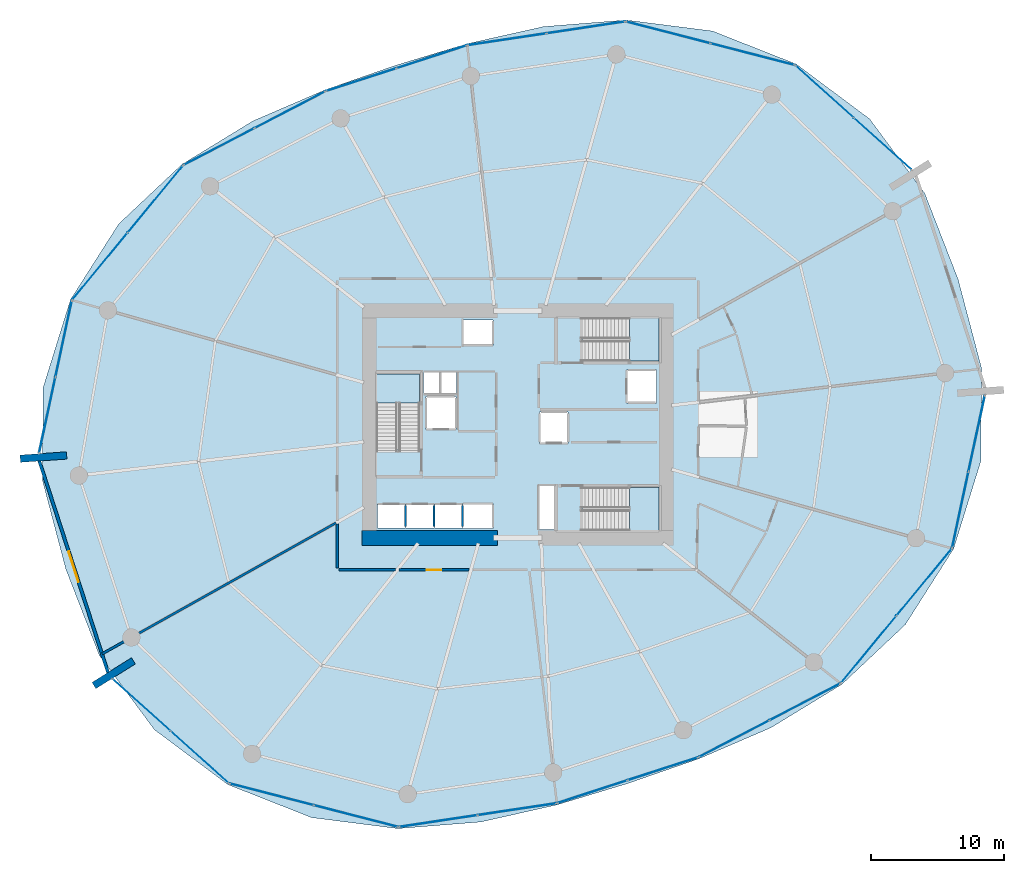
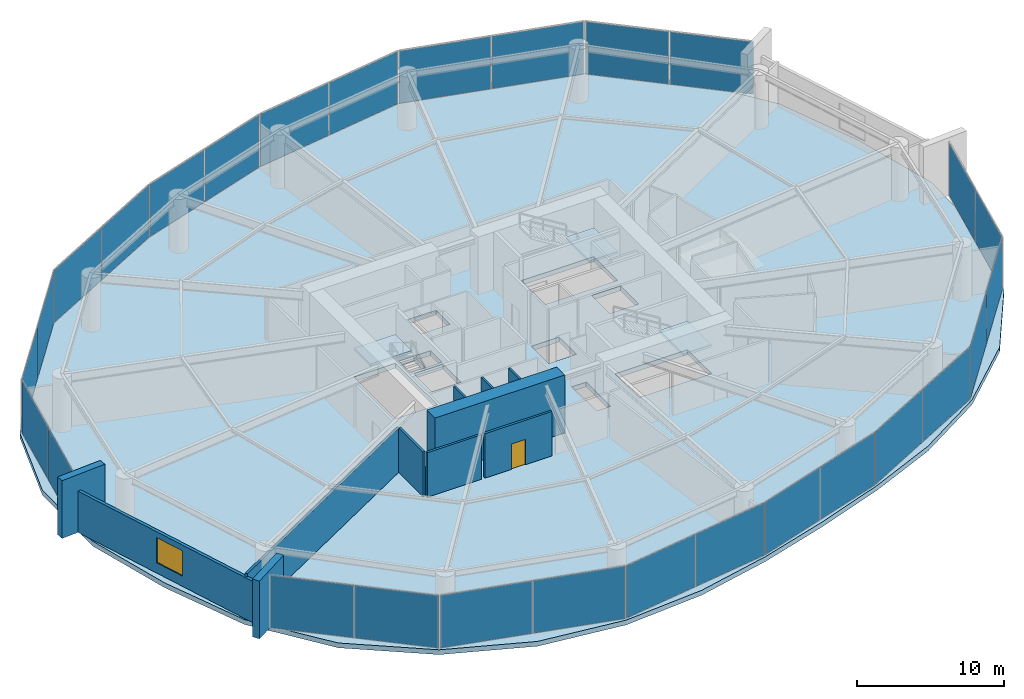
# One storey, part 17 of 22: 28 plates, 11 walls, 4 slabs, 1 door, 1 window, 2 openings, 17 elements without a shape of their own.
"""IFC4 building model written with IfcOpenShell, lengths in metres."""

import ifcopenshell
import ifcopenshell.guid

model = None  # the IFC model being written
_history = None  # IfcOwnerHistory: only IFC2X3 demands one
_inside = {}  # id of a spatial element -> (the spatial element, [elements in it])
_under = {}  # id of a project, library or spatial element -> (it, [spatial elements below it])
_declared = {}  # id of a project -> (the project, [libraries it declares])
_typed = {}  # id of a type object -> (the type object, [elements of that type])
_made_of = {}  # id of a material, layer set ... -> (it, [elements and type objects made of it])


def new_model(schema):
    """Start an empty IFC model of exactly this schema.

    Asked for "IFC4X3", IfcOpenShell would pick the latest addendum, in which some entities
    have other attributes; the version numbers below select the first issue.
    IFC2X3 requires an IfcOwnerHistory on every rooted entity: one is made here for all.
    """
    global model, _history
    if schema == "IFC4X3":
        model = ifcopenshell.file(schema_version=(4, 3, 0, 0))
    else:
        model = ifcopenshell.file(schema=schema)
    _inside.clear()
    _under.clear()
    _declared.clear()
    _typed.clear()
    _made_of.clear()
    _history = None
    if model.schema == "IFC2X3":
        org = make("IfcOrganization", Name="unknown")
        user = make(
            "IfcPersonAndOrganization",
            ThePerson=make("IfcPerson", FamilyName="unknown"),
            TheOrganization=org,
        )
        app = make(
            "IfcApplication",
            ApplicationDeveloper=org,
            Version="unknown",
            ApplicationFullName="unknown",
            ApplicationIdentifier="unknown",
        )
        _history = make(
            "IfcOwnerHistory",
            OwningUser=user,
            OwningApplication=app,
            ChangeAction="ADDED",
            CreationDate=0,
        )
    return model


def make(cls, **values):
    """One entity of the class cls with the attributes given. An attribute that is None is left unset."""
    return model.create_entity(
        cls, **{name: value for name, value in values.items() if value is not None}
    )


def rooted(cls, **values):
    """An entity with a GlobalId (a new one), such as an element, a storey or a relation."""
    return make(cls, GlobalId=ifcopenshell.guid.new(), OwnerHistory=_history, **values)


def si_unit(unit_type, name, prefix=None):
    """IfcSIUnit, for example si_unit("LENGTHUNIT", "METRE", prefix="MILLI")."""
    return make("IfcSIUnit", UnitType=unit_type, Prefix=prefix, Name=name)


def assignment(units):
    """IfcUnitAssignment: the units of a project."""
    return None if units is None else make("IfcUnitAssignment", Units=units)


def point(xyz):
    """IfcCartesianPoint."""
    return None if xyz is None else make("IfcCartesianPoint", Coordinates=xyz)


def direction(xyz):
    """IfcDirection."""
    return None if xyz is None else make("IfcDirection", DirectionRatios=xyz)


def frame(location, z_axis=None, x_axis=None):
    """IfcAxis2Placement3D, a coordinate frame: its origin and axes. An axis left out is left unset."""
    return make(
        "IfcAxis2Placement3D",
        Location=point(location),
        Axis=direction(z_axis),
        RefDirection=direction(x_axis),
    )


def frame_2d(location, x_axis=None):
    """IfcAxis2Placement2D, a coordinate frame in the plane: its origin and x axis."""
    return make(
        "IfcAxis2Placement2D", Location=point(location), RefDirection=direction(x_axis)
    )


def origin():
    """The frame at (0, 0, 0) with its axes left unset."""
    return frame((0.0, 0.0, 0.0))


def origin_2d():
    """The frame at (0, 0) in the plane with its x axis left unset."""
    return frame_2d((0.0, 0.0))


def place(relative_to, where):
    """IfcLocalPlacement: puts the frame where relative to a parent placement (None: the world)."""
    return make(
        "IfcLocalPlacement", PlacementRelTo=relative_to, RelativePlacement=where
    )


def context(
    kind, dimensions, precision=None, world=None, true_north=None, identifier=None
):
    """IfcGeometricRepresentationContext, for example the 3D "Model" context."""
    return make(
        "IfcGeometricRepresentationContext",
        ContextIdentifier=identifier,
        ContextType=kind,
        CoordinateSpaceDimension=dimensions,
        Precision=precision,
        WorldCoordinateSystem=world,
        TrueNorth=true_north,
    )


def subcontext(parent, identifier, kind, view, scale=None):
    """IfcGeometricRepresentationSubContext, for example "Body" below "Model"."""
    return make(
        "IfcGeometricRepresentationSubContext",
        ContextIdentifier=identifier,
        ContextType=kind,
        ParentContext=parent,
        TargetScale=scale,
        TargetView=view,
    )


def project(units=None, contexts=None):
    """IfcProject with its units and contexts."""
    return rooted(
        "IfcProject",
        Name="project",
        RepresentationContexts=contexts,
        UnitsInContext=assignment(units),
    )


def spatial(cls, under=None, at=None, **own):
    """A site, building, storey or space (cls), placed at a placement, below another one or the project."""
    s = rooted(cls, ObjectPlacement=at, **own)
    if under is not None:
        _under.setdefault(under.id(), (under, []))[1].append(s)
    return s


def polyline(points):
    """IfcPolyline through the points."""
    return make("IfcPolyline", Points=[point(p) for p in points])


def profile(cls, at=None, kind="AREA", **sizes):
    """A parametric profile (cls). Its sizes go by their IFC names, for example OverallWidth=200.0."""
    return make(cls, ProfileType=kind, Position=at, **sizes)


def rectangle(**sizes):
    """IfcRectangleProfileDef."""
    return profile("IfcRectangleProfileDef", **sizes)


def outline(outer, holes=None, kind="AREA"):
    """IfcArbitraryClosedProfileDef: a profile drawn as a closed curve; with holes, ...WithVoids."""
    if holes is None:
        return make("IfcArbitraryClosedProfileDef", ProfileType=kind, OuterCurve=outer)
    return make(
        "IfcArbitraryProfileDefWithVoids",
        ProfileType=kind,
        OuterCurve=outer,
        InnerCurves=holes,
    )


def extrude(swept, where, along, depth):
    """IfcExtrudedAreaSolid: the profile swept, set in the frame where, extruded along a direction by depth."""
    return make(
        "IfcExtrudedAreaSolid",
        SweptArea=swept,
        Position=where,
        ExtrudedDirection=direction(along),
        Depth=depth,
    )


def shape(context_of_items, identifier, shape_type, items):
    """IfcShapeRepresentation: the items that make up one representation, for example the "Body"."""
    return make(
        "IfcShapeRepresentation",
        ContextOfItems=context_of_items,
        RepresentationIdentifier=identifier,
        RepresentationType=shape_type,
        Items=items,
    )


def material(Name=None, Category=None):
    """IfcMaterial."""
    return make("IfcMaterial", Name=Name, Category=Category)


def layer(
    of_material, thickness, ventilated=None, Name=None, Category=None, Priority=None
):
    """IfcMaterialLayer: one layer of a wall or slab, of a material (None: an air gap)."""
    return make(
        "IfcMaterialLayer",
        Material=of_material,
        LayerThickness=thickness,
        IsVentilated=ventilated,
        Name=Name,
        Category=Category,
        Priority=Priority,
    )


def layer_set(layers, Name=None):
    """IfcMaterialLayerSet."""
    return make("IfcMaterialLayerSet", MaterialLayers=layers, LayerSetName=Name)


def made_of(thing, what):
    """Note that an element or type object is made of a material, layer set ...; save() writes the relation."""
    if what is not None:
        _made_of.setdefault(what.id(), (what, []))[1].append(thing)
    return thing


def type_object(cls, material=None, **own):
    """A type object (cls), such as IfcWallType, which elements share."""
    return made_of(rooted(cls, **own), material)


def element(
    cls,
    number,
    at=None,
    inside=None,
    cuts=None,
    type_object=None,
    material=None,
    context=None,
    identifier="Body",
    shape_type=None,
    held_by="IfcProductDefinitionShape",
    body=None,
    shapes=None,
    **own,
):
    """One element of the class cls, such as IfcWall. Its Tag is "e" and its number.

    at: its placement. inside: the storey or other place that contains it. cuts: it is an
    opening in that element (IfcRelVoidsElement). A single representation is given by context,
    identifier, shape_type and body (its items); several are given by shapes. held_by: the class
    of the entity that holds the representations. save() writes the other relations.
    """
    e = rooted(cls, Tag="e%d" % number, ObjectPlacement=at, **own)
    if body is not None:
        shapes = [shape(context, identifier, shape_type, body)]
    if shapes is not None:
        e.Representation = make(held_by, Representations=shapes)
    if inside is not None:
        _inside.setdefault(inside.id(), (inside, []))[1].append(e)
    if cuts is not None:
        rooted(
            "IfcRelVoidsElement", RelatingBuildingElement=cuts, RelatedOpeningElement=e
        )
    if type_object is not None:
        _typed.setdefault(type_object.id(), (type_object, []))[1].append(e)
    return made_of(e, material)


def fill(opening, filler):
    """IfcRelFillsElement: the door or window that sits in an opening."""
    return rooted(
        "IfcRelFillsElement",
        RelatingOpeningElement=opening,
        RelatedBuildingElement=filler,
    )


def aggregate(whole, parts):
    """IfcRelAggregates: a whole, such as a stair, and the parts it consists of."""
    return rooted("IfcRelAggregates", RelatingObject=whole, RelatedObjects=parts)


def save(model, path):
    """Write the relations noted so far, then the file.

    IfcRelAggregates (storeys below a building ...), IfcRelContainedInSpatialStructure (elements
    in a storey), IfcRelDefinesByType, IfcRelAssociatesMaterial and IfcRelDeclares: one each for
    every whole, place, type object, material and project.
    """
    for whole, parts in _under.values():
        aggregate(whole, parts)
    for where, things in _inside.values():
        rooted(
            "IfcRelContainedInSpatialStructure",
            RelatedElements=things,
            RelatingStructure=where,
        )
    for kind, things in _typed.values():
        rooted("IfcRelDefinesByType", RelatedObjects=things, RelatingType=kind)
    for what, things in _made_of.values():
        rooted("IfcRelAssociatesMaterial", RelatedObjects=things, RelatingMaterial=what)
    for by, libraries in _declared.values():
        rooted("IfcRelDeclares", RelatingContext=by, RelatedDefinitions=libraries)
    model.write(path)


model = new_model("IFC4")

# Units and contexts
model_context = context("Model", 3, precision=1e-05, world=origin(), true_north=direction((0.0, 1.0)))
body_context = subcontext(model_context, "Body", "Model", "MODEL_VIEW")
ifc_project = project(units=[si_unit("LENGTHUNIT", "METRE"), si_unit("AREAUNIT", "SQUARE_METRE"), si_unit("VOLUMEUNIT", "CUBIC_METRE"), si_unit("PLANEANGLEUNIT", "RADIAN"), si_unit("MASSUNIT", "GRAM", prefix="KILO")], contexts=[model_context])

# Site, building, storey
site_placement = place(None, origin())
site = spatial("IfcSite", under=ifc_project, at=site_placement, CompositionType="ELEMENT")
building_placement = place(site_placement, origin())
building = spatial("IfcBuilding", under=site, at=building_placement, Name="Kazma Halo Residences", CompositionType="ELEMENT")
storey_placement = place(building_placement, frame((0.0, 0.0, 7.199951171875)))
storey = spatial("IfcBuildingStorey", under=building, at=storey_placement, Name="L01", CompositionType="ELEMENT", Elevation=7.199951171875)

# Curtain wall, plates
ifc_material_1 = material(Name="Aluminium AW-6063 T6 and Triple-Silver Low-E Glass", Category="aluminium")
ifc_layer_1 = layer(ifc_material_1, 0.179931640625)
ifc_layer_set_1 = layer_set([ifc_layer_1], Name="Aluminium AW-6063 T6 and Triple-Silver Low-E Glass")
curtain_wall_type = type_object("IfcCurtainWallType", Name="CW-SYS-1", PredefinedType="NOTDEFINED", material=ifc_layer_set_1)
curtain_wall_1_placement = place(storey_placement, origin())
curtain_wall_1 = element("IfcCurtainWall", 1, at=curtain_wall_1_placement, inside=storey, type_object=curtain_wall_type, Name="L01 unitised curtain wall B01", PredefinedType="NOTDEFINED")
ifc_material_2 = material(Name="Clear Triple-Silver Low-E Glass IGU", Category="glass")
ifc_layer_2 = layer(ifc_material_2, 0.031982421875)
ifc_layer_set_2 = layer_set([ifc_layer_2], Name="Clear Triple-Silver Low-E Glass IGU")
plate_type = type_object("IfcPlateType", Name="CW-SYS-1-PNL", PredefinedType="CURTAIN_PANEL", material=ifc_layer_set_2)
plate_1_placement = place(storey_placement, frame((75.8740234375, 63.110107421875, 0.06494140625), z_axis=(0.0, 0.0, 1.0), x_axis=(-0.744297770784, 0.667847908139, 0.0)))
plate_1 = element("IfcPlate", 2, at=plate_1_placement, type_object=plate_type, Name="CWS-1 panel 1.1", PredefinedType="CURTAIN_PANEL", context=body_context, shape_type="SweptSolid", body=[
    extrude(rectangle(XDim=5.8056640625, YDim=0.031982421875, at=origin_2d()), origin(), (0.0, 0.0, 1.0), 4.35009765625),
])
plate_2_placement = place(storey_placement, frame((71.50439453125, 67.031005859375, 0.06494140625), z_axis=(0.0, 0.0, 1.0), x_axis=(-0.744297770784, 0.667847908139, 0.0)))
plate_2 = element("IfcPlate", 3, at=plate_2_placement, type_object=plate_type, Name="CWS-1 panel 2.1", PredefinedType="CURTAIN_PANEL", context=body_context, shape_type="SweptSolid", body=[
    extrude(rectangle(XDim=5.8056640625, YDim=0.031982421875, at=origin_2d()), origin(), (0.0, 0.0, 1.0), 4.35009765625),
])
aggregate(curtain_wall_1, [plate_1, plate_2])

curtain_wall_2_placement = place(storey_placement, origin())
curtain_wall_2 = element("IfcCurtainWall", 4, at=curtain_wall_2_placement, inside=storey, type_object=curtain_wall_type, Name="L01 unitised curtain wall B02", PredefinedType="NOTDEFINED")
plate_3_placement = place(storey_placement, frame((66.09228515625, 69.839111328125, 0.06494140625), z_axis=(0.0, 0.0, 1.0), x_axis=(-0.96831625699, 0.249727103953, 0.0)))
plate_3 = element("IfcPlate", 5, at=plate_3_placement, type_object=plate_type, Name="CWS-1 panel 1.1", PredefinedType="CURTAIN_PANEL", context=body_context, shape_type="SweptSolid", body=[
    extrude(rectangle(XDim=6.48583984375, YDim=0.031982421875, at=origin_2d()), origin(), (0.0, 0.0, 1.0), 4.35009765625),
])
plate_4_placement = place(storey_placement, frame((59.7490234375, 71.47509765625, 0.06494140625), z_axis=(0.0, 0.0, 1.0), x_axis=(-0.96831625699, 0.249727103953, 0.0)))
plate_4 = element("IfcPlate", 6, at=plate_4_placement, type_object=plate_type, Name="CWS-1 panel 2.1", PredefinedType="CURTAIN_PANEL", context=body_context, shape_type="SweptSolid", body=[
    extrude(rectangle(XDim=6.48583984375, YDim=0.031982421875, at=origin_2d()), origin(), (0.0, 0.0, 1.0), 4.35009765625),
])
aggregate(curtain_wall_2, [plate_3, plate_4])

curtain_wall_3_placement = place(storey_placement, origin())
curtain_wall_3 = element("IfcCurtainWall", 7, at=curtain_wall_3_placement, inside=storey, type_object=curtain_wall_type, Name="L01 unitised curtain wall B03", PredefinedType="NOTDEFINED")
plate_5_placement = place(storey_placement, frame((53.549560546875, 71.85107421875, 0.06494140625), z_axis=(0.0, 0.0, 1.0), x_axis=(-0.988905053379, -0.148548966342, 0.0)))
plate_5 = element("IfcPlate", 8, at=plate_5_placement, type_object=plate_type, Name="CWS-1 panel 1.1", PredefinedType="CURTAIN_PANEL", context=body_context, shape_type="SweptSolid", body=[
    extrude(rectangle(XDim=5.929443359375, YDim=0.031982421875, at=origin_2d()), origin(), (0.0, 0.0, 1.0), 4.35009765625),
])
plate_6_placement = place(storey_placement, frame((47.621826171875, 70.96044921875, 0.06494140625), z_axis=(0.0, 0.0, 1.0), x_axis=(-0.988905053379, -0.148548966342, 0.0)))
plate_6 = element("IfcPlate", 9, at=plate_6_placement, type_object=plate_type, Name="CWS-1 panel 2.1", PredefinedType="CURTAIN_PANEL", context=body_context, shape_type="SweptSolid", body=[
    extrude(rectangle(XDim=5.929443359375, YDim=0.031982421875, at=origin_2d()), origin(), (0.0, 0.0, 1.0), 4.35009765625),
])
aggregate(curtain_wall_3, [plate_5, plate_6])

curtain_wall_4_placement = place(storey_placement, origin())
curtain_wall_4 = element("IfcCurtainWall", 10, at=curtain_wall_4_placement, inside=storey, type_object=curtain_wall_type, Name="L01 unitised curtain wall B04", PredefinedType="NOTDEFINED")
plate_7_placement = place(storey_placement, frame((41.94677734375, 69.64013671875, 0.06494140625), z_axis=(0.0, 0.0, 1.0), x_axis=(-0.951056436743, -0.309017239211, 0.0)))
plate_7 = element("IfcPlate", 11, at=plate_7_placement, type_object=plate_type, Name="CWS-1 panel 1.1", PredefinedType="CURTAIN_PANEL", context=body_context, shape_type="SweptSolid", body=[
    extrude(rectangle(XDim=5.50341796875, YDim=0.031982421875, at=origin_2d()), origin(), (0.0, 0.0, 1.0), 4.35009765625),
])
plate_8_placement = place(storey_placement, frame((36.65087890625, 67.91943359375, 0.06494140625), z_axis=(0.0, 0.0, 1.0), x_axis=(-0.951056436743, -0.309017239211, 0.0)))
plate_8 = element("IfcPlate", 12, at=plate_8_placement, type_object=plate_type, Name="CWS-1 panel 2.1", PredefinedType="CURTAIN_PANEL", context=body_context, shape_type="SweptSolid", body=[
    extrude(rectangle(XDim=5.50341796875, YDim=0.031982421875, at=origin_2d()), origin(), (0.0, 0.0, 1.0), 4.35009765625),
])
aggregate(curtain_wall_4, [plate_7, plate_8])

curtain_wall_5_placement = place(storey_placement, origin())
curtain_wall_5 = element("IfcCurtainWall", 13, at=curtain_wall_5_placement, inside=storey, type_object=curtain_wall_type, Name="L01 unitised curtain wall B05", PredefinedType="NOTDEFINED")
plate_9_placement = place(storey_placement, frame((31.283447265625, 65.65185546875, 0.06494140625), z_axis=(0.0, 0.0, 1.0), x_axis=(-0.887355036047, -0.46108680311, 0.0)))
plate_9 = element("IfcPlate", 14, at=plate_9_placement, type_object=plate_type, Name="CWS-1 panel 1.1", PredefinedType="CURTAIN_PANEL", context=body_context, shape_type="SweptSolid", body=[
    extrude(rectangle(XDim=5.929443359375, YDim=0.031982421875, at=origin_2d()), origin(), (0.0, 0.0, 1.0), 4.35009765625),
])
plate_10_placement = place(storey_placement, frame((25.96435546875, 62.887939453125, 0.06494140625), z_axis=(0.0, 0.0, 1.0), x_axis=(-0.887355036047, -0.46108680311, 0.0)))
plate_10 = element("IfcPlate", 15, at=plate_10_placement, type_object=plate_type, Name="CWS-1 panel 2.1", PredefinedType="CURTAIN_PANEL", context=body_context, shape_type="SweptSolid", body=[
    extrude(rectangle(XDim=5.929443359375, YDim=0.031982421875, at=origin_2d()), origin(), (0.0, 0.0, 1.0), 4.35009765625),
])
aggregate(curtain_wall_5, [plate_9, plate_10])

curtain_wall_6_placement = place(storey_placement, origin())
curtain_wall_6 = element("IfcCurtainWall", 16, at=curtain_wall_6_placement, inside=storey, type_object=curtain_wall_type, Name="L01 unitised curtain wall B06", PredefinedType="NOTDEFINED")
plate_11_placement = place(storey_placement, frame((21.169921875, 58.93994140625, 0.06494140625), z_axis=(0.0, 0.0, 1.0), x_axis=(-0.636602895194, -0.771191775002, 0.0)))
plate_11 = element("IfcPlate", 17, at=plate_11_placement, type_object=plate_type, Name="CWS-1 panel 1.1", PredefinedType="CURTAIN_PANEL", context=body_context, shape_type="SweptSolid", body=[
    extrude(rectangle(XDim=6.48583984375, YDim=0.031982421875, at=origin_2d()), origin(), (0.0, 0.0, 1.0), 4.35009765625),
])
plate_12_placement = place(storey_placement, frame((16.999755859375, 53.887939453125, 0.06494140625), z_axis=(0.0, 0.0, 1.0), x_axis=(-0.636602895194, -0.771191775002, 0.0)))
plate_12 = element("IfcPlate", 18, at=plate_12_placement, type_object=plate_type, Name="CWS-1 panel 2.1", PredefinedType="CURTAIN_PANEL", context=body_context, shape_type="SweptSolid", body=[
    extrude(rectangle(XDim=6.48583984375, YDim=0.031982421875, at=origin_2d()), origin(), (0.0, 0.0, 1.0), 4.35009765625),
])
aggregate(curtain_wall_6, [plate_11, plate_12])

curtain_wall_7_placement = place(storey_placement, origin())
curtain_wall_7 = element("IfcCurtainWall", 19, at=curtain_wall_7_placement, inside=storey, type_object=curtain_wall_type, Name="L01 unitised curtain wall B07", PredefinedType="NOTDEFINED")
plate_13_placement = place(storey_placement, frame((14.271728515625, 48.434814453125, 0.06494140625), z_axis=(0.0, 0.0, 1.0), x_axis=(-0.209595607771, -0.977788157631, 0.0)))
plate_13 = element("IfcPlate", 20, at=plate_13_placement, type_object=plate_type, Name="CWS-1 panel 1.1", PredefinedType="CURTAIN_PANEL", context=body_context, shape_type="SweptSolid", body=[
    extrude(rectangle(XDim=5.8056640625, YDim=0.031982421875, at=origin_2d()), origin(), (0.0, 0.0, 1.0), 4.35009765625),
])
plate_14_placement = place(storey_placement, frame((13.041259765625, 42.694580078125, 0.06494140625), z_axis=(0.0, 0.0, 1.0), x_axis=(-0.209595607771, -0.977788157631, 0.0)))
plate_14 = element("IfcPlate", 21, at=plate_14_placement, type_object=plate_type, Name="CWS-1 panel 2.1", PredefinedType="CURTAIN_PANEL", context=body_context, shape_type="SweptSolid", body=[
    extrude(rectangle(XDim=5.8056640625, YDim=0.031982421875, at=origin_2d()), origin(), (0.0, 0.0, 1.0), 4.35009765625),
])
aggregate(curtain_wall_7, [plate_13, plate_14])

curtain_wall_8_placement = place(storey_placement, origin())
curtain_wall_8 = element("IfcCurtainWall", 22, at=curtain_wall_8_placement, inside=storey, type_object=curtain_wall_type, Name="L01 unitised curtain wall B09", PredefinedType="NOTDEFINED")
plate_15_placement = place(storey_placement, frame((20.1259765625, 20.889892578125, 0.06494140625), z_axis=(0.0, 0.0, 1.0), x_axis=(0.744297770784, -0.667847908139, 0.0)))
plate_15 = element("IfcPlate", 23, at=plate_15_placement, type_object=plate_type, Name="CWS-1 panel 1.1", PredefinedType="CURTAIN_PANEL", context=body_context, shape_type="SweptSolid", body=[
    extrude(rectangle(XDim=5.8056640625, YDim=0.031982421875, at=origin_2d()), origin(), (0.0, 0.0, 1.0), 4.35009765625),
])
plate_16_placement = place(storey_placement, frame((24.49560546875, 16.968994140625, 0.06494140625), z_axis=(0.0, 0.0, 1.0), x_axis=(0.744297770784, -0.667847908139, 0.0)))
plate_16 = element("IfcPlate", 24, at=plate_16_placement, type_object=plate_type, Name="CWS-1 panel 2.1", PredefinedType="CURTAIN_PANEL", context=body_context, shape_type="SweptSolid", body=[
    extrude(rectangle(XDim=5.8056640625, YDim=0.031982421875, at=origin_2d()), origin(), (0.0, 0.0, 1.0), 4.35009765625),
])
aggregate(curtain_wall_8, [plate_15, plate_16])

curtain_wall_9_placement = place(storey_placement, origin())
curtain_wall_9 = element("IfcCurtainWall", 25, at=curtain_wall_9_placement, inside=storey, type_object=curtain_wall_type, Name="L01 unitised curtain wall B10", PredefinedType="NOTDEFINED")
plate_17_placement = place(storey_placement, frame((29.90771484375, 14.160888671875, 0.06494140625), z_axis=(0.0, 0.0, 1.0), x_axis=(0.96831625699, -0.249727103953, 0.0)))
plate_17 = element("IfcPlate", 26, at=plate_17_placement, type_object=plate_type, Name="CWS-1 panel 1.1", PredefinedType="CURTAIN_PANEL", context=body_context, shape_type="SweptSolid", body=[
    extrude(rectangle(XDim=6.48583984375, YDim=0.031982421875, at=origin_2d()), origin(), (0.0, 0.0, 1.0), 4.35009765625),
])
plate_18_placement = place(storey_placement, frame((36.2509765625, 12.52490234375, 0.06494140625), z_axis=(0.0, 0.0, 1.0), x_axis=(0.96831625699, -0.249727103953, 0.0)))
plate_18 = element("IfcPlate", 27, at=plate_18_placement, type_object=plate_type, Name="CWS-1 panel 2.1", PredefinedType="CURTAIN_PANEL", context=body_context, shape_type="SweptSolid", body=[
    extrude(rectangle(XDim=6.48583984375, YDim=0.031982421875, at=origin_2d()), origin(), (0.0, 0.0, 1.0), 4.35009765625),
])
aggregate(curtain_wall_9, [plate_17, plate_18])

curtain_wall_10_placement = place(storey_placement, origin())
curtain_wall_10 = element("IfcCurtainWall", 28, at=curtain_wall_10_placement, inside=storey, type_object=curtain_wall_type, Name="L01 unitised curtain wall B11", PredefinedType="NOTDEFINED")
plate_19_placement = place(storey_placement, frame((42.450439453125, 12.14892578125, 0.06494140625), z_axis=(0.0, 0.0, 1.0), x_axis=(0.988905053379, 0.148548966342, 0.0)))
plate_19 = element("IfcPlate", 29, at=plate_19_placement, type_object=plate_type, Name="CWS-1 panel 1.1", PredefinedType="CURTAIN_PANEL", context=body_context, shape_type="SweptSolid", body=[
    extrude(rectangle(XDim=5.929443359375, YDim=0.031982421875, at=origin_2d()), origin(), (0.0, 0.0, 1.0), 4.35009765625),
])
plate_20_placement = place(storey_placement, frame((48.378173828125, 13.03955078125, 0.06494140625), z_axis=(0.0, 0.0, 1.0), x_axis=(0.988905053379, 0.148548966342, 0.0)))
plate_20 = element("IfcPlate", 30, at=plate_20_placement, type_object=plate_type, Name="CWS-1 panel 2.1", PredefinedType="CURTAIN_PANEL", context=body_context, shape_type="SweptSolid", body=[
    extrude(rectangle(XDim=5.929443359375, YDim=0.031982421875, at=origin_2d()), origin(), (0.0, 0.0, 1.0), 4.35009765625),
])
aggregate(curtain_wall_10, [plate_19, plate_20])

curtain_wall_11_placement = place(storey_placement, origin())
curtain_wall_11 = element("IfcCurtainWall", 31, at=curtain_wall_11_placement, inside=storey, type_object=curtain_wall_type, Name="L01 unitised curtain wall B12", PredefinedType="NOTDEFINED")
plate_21_placement = place(storey_placement, frame((54.05322265625, 14.35986328125, 0.06494140625), z_axis=(0.0, 0.0, 1.0), x_axis=(0.951056436743, 0.309017239211, 0.0)))
plate_21 = element("IfcPlate", 32, at=plate_21_placement, type_object=plate_type, Name="CWS-1 panel 1.1", PredefinedType="CURTAIN_PANEL", context=body_context, shape_type="SweptSolid", body=[
    extrude(rectangle(XDim=5.50341796875, YDim=0.031982421875, at=origin_2d()), origin(), (0.0, 0.0, 1.0), 4.35009765625),
])
plate_22_placement = place(storey_placement, frame((59.34912109375, 16.08056640625, 0.06494140625), z_axis=(0.0, 0.0, 1.0), x_axis=(0.951056436743, 0.309017239211, 0.0)))
plate_22 = element("IfcPlate", 33, at=plate_22_placement, type_object=plate_type, Name="CWS-1 panel 2.1", PredefinedType="CURTAIN_PANEL", context=body_context, shape_type="SweptSolid", body=[
    extrude(rectangle(XDim=5.50341796875, YDim=0.031982421875, at=origin_2d()), origin(), (0.0, 0.0, 1.0), 4.35009765625),
])
aggregate(curtain_wall_11, [plate_21, plate_22])

curtain_wall_12_placement = place(storey_placement, origin())
curtain_wall_12 = element("IfcCurtainWall", 34, at=curtain_wall_12_placement, inside=storey, type_object=curtain_wall_type, Name="L01 unitised curtain wall B13", PredefinedType="NOTDEFINED")
plate_23_placement = place(storey_placement, frame((64.716552734375, 18.34814453125, 0.06494140625), z_axis=(0.0, 0.0, 1.0), x_axis=(0.887355036047, 0.46108680311, 0.0)))
plate_23 = element("IfcPlate", 35, at=plate_23_placement, type_object=plate_type, Name="CWS-1 panel 1.1", PredefinedType="CURTAIN_PANEL", context=body_context, shape_type="SweptSolid", body=[
    extrude(rectangle(XDim=5.929443359375, YDim=0.031982421875, at=origin_2d()), origin(), (0.0, 0.0, 1.0), 4.35009765625),
])
plate_24_placement = place(storey_placement, frame((70.03564453125, 21.112060546875, 0.06494140625), z_axis=(0.0, 0.0, 1.0), x_axis=(0.887355036047, 0.46108680311, 0.0)))
plate_24 = element("IfcPlate", 36, at=plate_24_placement, type_object=plate_type, Name="CWS-1 panel 2.1", PredefinedType="CURTAIN_PANEL", context=body_context, shape_type="SweptSolid", body=[
    extrude(rectangle(XDim=5.929443359375, YDim=0.031982421875, at=origin_2d()), origin(), (0.0, 0.0, 1.0), 4.35009765625),
])
aggregate(curtain_wall_12, [plate_23, plate_24])

curtain_wall_13_placement = place(storey_placement, origin())
curtain_wall_13 = element("IfcCurtainWall", 37, at=curtain_wall_13_placement, inside=storey, type_object=curtain_wall_type, Name="L01 unitised curtain wall B14", PredefinedType="NOTDEFINED")
plate_25_placement = place(storey_placement, frame((74.830078125, 25.06005859375, 0.06494140625), z_axis=(0.0, 0.0, 1.0), x_axis=(0.636602895194, 0.771191775002, 0.0)))
plate_25 = element("IfcPlate", 38, at=plate_25_placement, type_object=plate_type, Name="CWS-1 panel 1.1", PredefinedType="CURTAIN_PANEL", context=body_context, shape_type="SweptSolid", body=[
    extrude(rectangle(XDim=6.48583984375, YDim=0.031982421875, at=origin_2d()), origin(), (0.0, 0.0, 1.0), 4.35009765625),
])
plate_26_placement = place(storey_placement, frame((79.000244140625, 30.112060546875, 0.06494140625), z_axis=(0.0, 0.0, 1.0), x_axis=(0.636602895194, 0.771191775002, 0.0)))
plate_26 = element("IfcPlate", 39, at=plate_26_placement, type_object=plate_type, Name="CWS-1 panel 2.1", PredefinedType="CURTAIN_PANEL", context=body_context, shape_type="SweptSolid", body=[
    extrude(rectangle(XDim=6.48583984375, YDim=0.031982421875, at=origin_2d()), origin(), (0.0, 0.0, 1.0), 4.35009765625),
])
aggregate(curtain_wall_13, [plate_25, plate_26])

curtain_wall_14_placement = place(storey_placement, origin())
curtain_wall_14 = element("IfcCurtainWall", 40, at=curtain_wall_14_placement, inside=storey, type_object=curtain_wall_type, Name="L01 unitised curtain wall B15", PredefinedType="NOTDEFINED")
plate_27_placement = place(storey_placement, frame((81.728271484375, 35.565185546875, 0.06494140625), z_axis=(0.0, 0.0, 1.0), x_axis=(0.209595607771, 0.977788157631, 0.0)))
plate_27 = element("IfcPlate", 41, at=plate_27_placement, type_object=plate_type, Name="CWS-1 panel 1.1", PredefinedType="CURTAIN_PANEL", context=body_context, shape_type="SweptSolid", body=[
    extrude(rectangle(XDim=5.8056640625, YDim=0.031982421875, at=origin_2d()), origin(), (0.0, 0.0, 1.0), 4.35009765625),
])
plate_28_placement = place(storey_placement, frame((82.958740234375, 41.305419921875, 0.06494140625), z_axis=(0.0, 0.0, 1.0), x_axis=(0.209595607771, 0.977788157631, 0.0)))
plate_28 = element("IfcPlate", 42, at=plate_28_placement, type_object=plate_type, Name="CWS-1 panel 2.1", PredefinedType="CURTAIN_PANEL", context=body_context, shape_type="SweptSolid", body=[
    extrude(rectangle(XDim=5.8056640625, YDim=0.031982421875, at=origin_2d()), origin(), (0.0, 0.0, 1.0), 4.35009765625),
])
aggregate(curtain_wall_14, [plate_27, plate_28])

# Stair, slab
ifc_material_3 = material(Name="Concrete C50/60", Category="concrete")
stair_type = type_object("IfcStairType", Name="STR-POD", PredefinedType="HALF_TURN_STAIR", material=ifc_material_3)
stair_1_placement = place(storey_placement, origin())
stair_1 = element("IfcStair", 43, at=stair_1_placement, inside=storey, type_object=stair_type, Name="L01 Core exit stair ST-01", PredefinedType="HALF_TURN_STAIR")
ifc_layer_3 = layer(ifc_material_3, 0.199951171875)
ifc_layer_set_3 = layer_set([ifc_layer_3], Name="Concrete C50/60")
slab_type_1 = type_object("IfcSlabType", Name="SLB-STAIR-LND-200", PredefinedType="LANDING", material=ifc_layer_set_3)
slab_1_placement = place(storey_placement, frame((0.0, 0.0, 2.199951171875)))
slab_1 = element("IfcSlab", 44, at=slab_1_placement, type_object=slab_type_1, Name="ST-01 landing 1", PredefinedType="LANDING", context=body_context, shape_type="SweptSolid", body=[
    extrude(outline(polyline([(41.050048828125, 43.590087890625), (41.050048828125, 45.800048828125), (37.800048828125, 45.800048828125), (37.800048828125, 43.590087890625), (41.050048828125, 43.590087890625)])), origin(), (0.0, 0.0, 1.0), 0.2001953125),
])
aggregate(stair_1, [slab_1])

stair_2_placement = place(storey_placement, origin())
stair_2 = element("IfcStair", 45, at=stair_2_placement, inside=storey, type_object=stair_type, Name="L01 Core exit stair ST-02", PredefinedType="HALF_TURN_STAIR")
slab_2_placement = place(storey_placement, frame((0.0, 0.0, 2.199951171875)))
slab_2 = element("IfcSlab", 46, at=slab_2_placement, type_object=slab_type_1, Name="ST-02 landing 1", PredefinedType="LANDING", context=body_context, shape_type="SweptSolid", body=[
    extrude(outline(polyline([(56.840087890625, 46.75), (59.050048828125, 46.75), (59.050048828125, 50.0), (56.840087890625, 50.0), (56.840087890625, 46.75)])), origin(), (0.0, 0.0, 1.0), 0.2001953125),
])
aggregate(stair_2, [slab_2])

stair_3_placement = place(storey_placement, origin())
stair_3 = element("IfcStair", 47, at=stair_3_placement, inside=storey, type_object=stair_type, Name="L01 Core exit stair ST-03", PredefinedType="HALF_TURN_STAIR")
slab_3_placement = place(storey_placement, frame((0.0, 0.0, 2.199951171875)))
slab_3 = element("IfcSlab", 48, at=slab_3_placement, type_object=slab_type_1, Name="ST-03 landing 1", PredefinedType="LANDING", context=body_context, shape_type="SweptSolid", body=[
    extrude(outline(polyline([(56.840087890625, 34.0), (59.050048828125, 34.0), (59.050048828125, 37.25), (56.840087890625, 37.25), (56.840087890625, 34.0)])), origin(), (0.0, 0.0, 1.0), 0.2001953125),
])
aggregate(stair_3, [slab_3])

# Slab
ifc_material_4 = material(Name="Concrete C60/75", Category="concrete")
ifc_layer_4 = layer(ifc_material_4, 0.39990234375)
ifc_layer_set_4 = layer_set([ifc_layer_4], Name="Concrete C60/75")
slab_type_2 = type_object("IfcSlabType", Name="SLB-TRANS-400", PredefinedType="FLOOR", material=ifc_layer_set_4)
slab_4_placement = place(storey_placement, frame((0.0, 0.0, -0.39990234375)))
element("IfcSlab", 49, at=slab_4_placement, inside=storey, type_object=slab_type_2, Name="L01 structural floor slab", PredefinedType="FLOOR", context=body_context, shape_type="SweptSolid", body=[
    extrude(outline(polyline([(81.56396484375, 52.905517578125), (79.04638671875, 59.38671875), (74.903564453125, 64.977783203125), (69.36962890625, 69.107177734375), (63.076171875, 71.58837890625), (56.578369140625, 72.41650390625), (50.354736328125, 71.918701171875), (44.611572265625, 70.629638671875), (39.226318359375, 69.00244140625), (33.913330078125, 67.153564453125), (28.50927734375, 64.82080078125), (23.181396484375, 61.565185546875), (18.41162109375, 57.076171875), (14.7783203125, 51.369384765625), (12.728515625, 44.77587890625), (12.663330078125, 37.817626953125), (14.43603515625, 31.094482421875), (16.95361328125, 24.61328125), (21.096435546875, 19.022216796875), (26.63037109375, 14.892822265625), (32.923828125, 12.41162109375), (39.421630859375, 11.58349609375), (45.645263671875, 12.081298828125), (51.388427734375, 13.370361328125), (56.773681640625, 14.99755859375), (62.086669921875, 16.846435546875), (67.49072265625, 19.17919921875), (72.818603515625, 22.434814453125), (77.58837890625, 26.923828125), (81.2216796875, 32.630615234375), (83.271484375, 39.22412109375), (83.336669921875, 46.182373046875), (81.56396484375, 52.905517578125)]), holes=[polyline([(37.800048828125, 40.110107421875), (41.050048828125, 40.110107421875), (41.050048828125, 45.800048828125), (37.800048828125, 45.800048828125), (37.800048828125, 40.110107421875)]), polyline([(53.360107421875, 46.75), (59.050048828125, 46.75), (59.050048828125, 50.0), (53.360107421875, 50.0), (53.360107421875, 46.75)]), polyline([(53.360107421875, 34.0), (59.050048828125, 34.0), (59.050048828125, 37.25), (53.360107421875, 37.25), (53.360107421875, 34.0)]), polyline([(41.52001953125, 41.6201171875), (43.780029296875, 41.6201171875), (43.780029296875, 44.080078125), (41.52001953125, 44.080078125), (41.52001953125, 41.6201171875)]), polyline([(56.6201171875, 43.6201171875), (58.8798828125, 43.6201171875), (58.8798828125, 46.080078125), (56.6201171875, 46.080078125), (56.6201171875, 43.6201171875)]), polyline([(37.864990234375, 34.195068359375), (39.97509765625, 34.195068359375), (39.97509765625, 36.0048828125), (37.864990234375, 36.0048828125), (37.864990234375, 34.195068359375)]), polyline([(40.014892578125, 34.195068359375), (42.125, 34.195068359375), (42.125, 36.0048828125), (40.014892578125, 36.0048828125), (40.014892578125, 34.195068359375)]), polyline([(42.1650390625, 34.195068359375), (44.27490234375, 34.195068359375), (44.27490234375, 36.0048828125), (42.1650390625, 36.0048828125), (42.1650390625, 34.195068359375)]), polyline([(44.320068359375, 47.945068359375), (46.580078125, 47.945068359375), (46.580078125, 49.85498046875), (44.320068359375, 49.85498046875), (44.320068359375, 47.945068359375)]), polyline([(44.320068359375, 34.14501953125), (46.580078125, 34.14501953125), (46.580078125, 36.054931640625), (44.320068359375, 36.054931640625), (44.320068359375, 34.14501953125)]), polyline([(50.070068359375, 40.570068359375), (52.22998046875, 40.570068359375), (52.22998046875, 42.929931640625), (50.070068359375, 42.929931640625), (50.070068359375, 40.570068359375)]), polyline([(41.360107421875, 44.340087890625), (42.5400390625, 44.340087890625), (42.5400390625, 45.89990234375), (41.360107421875, 45.89990234375), (41.360107421875, 44.340087890625)]), polyline([(42.659912109375, 44.340087890625), (43.840087890625, 44.340087890625), (43.840087890625, 45.89990234375), (42.659912109375, 45.89990234375), (42.659912109375, 44.340087890625)]), polyline([(50.06005859375, 34.080078125), (51.159912109375, 34.080078125), (51.159912109375, 37.3798828125), (50.06005859375, 37.3798828125), (50.06005859375, 34.080078125)])]), origin(), (0.0, 0.0, 1.0), 0.39990234375),
])

# Walls
ifc_material_5 = material(Name="Pale Concrete C60/75", Category="concrete")
ifc_layer_5 = layer(ifc_material_5, 0.550048828125)
ifc_layer_set_5 = layer_set([ifc_layer_5], Name="Pale Concrete C60/75")
wall_type_1 = type_object("IfcWallType", Name="WL-BLADE-550", PredefinedType="SOLIDWALL", material=ifc_layer_set_5)
for number, where, z_axis, x_axis, name in (
    (50, (14.497314453125, 39.6572265625, 0.0), (0.0, 0.0, 1.0), (-0.997564163539, -0.069754853754, 0.0), "L01 pale concrete structural blade fin wall BW-02"),
    (51, (19.518798828125, 24.202880859375, 0.0), (0.0, 0.0, 1.0), (-0.848053161125, -0.529911158502, 0.0), "L01 pale concrete structural blade fin wall BW-03"),
):
    element("IfcWall", number, at=place(storey_placement, frame(where, z_axis=z_axis, x_axis=x_axis)), inside=storey, type_object=wall_type_1, Name=name, PredefinedType="SOLIDWALL", context=body_context, shape_type="SweptSolid", body=[
        extrude(rectangle(XDim=3.5, YDim=0.550048828125, at=frame_2d((1.75, 0.0))), origin(), (0.0, 0.0, 1.0), 4.800048828125),
    ])
ifc_material_6 = material(Name="Concrete C80/95", Category="concrete")
ifc_layer_6 = layer(ifc_material_6, 1.10009765625)
ifc_layer_set_6 = layer_set([ifc_layer_6], Name="Concrete C80/95")
wall_type_2 = type_object("IfcWallType", Name="WL-CORE-1100", PredefinedType="SHEAR", material=ifc_layer_set_6)
wall_1_placement = place(storey_placement, frame((36.699951171875, 33.449951171875, 0.0), z_axis=(0.0, 0.0, 1.0), x_axis=(1.0, 0.0, 0.0)))
element("IfcWall", 52, at=wall_1_placement, inside=storey, type_object=wall_type_2, Name="L01 central core shear wall SW", PredefinedType="SHEAR", context=body_context, shape_type="SweptSolid", body=[
    extrude(rectangle(XDim=10.199951171875, YDim=1.10009765625, at=frame_2d((5.10009765625, 0.0))), origin(), (0.0, 0.0, 1.0), 4.800048828125),
])
ifc_material_7 = material(Name="Acoustic Twin-Stud Gypsum")
ifc_layer_7 = layer(ifc_material_7, 0.179931640625)
ifc_layer_set_7 = layer_set([ifc_layer_7], Name="Acoustic Twin-Stud Gypsum")
wall_type_3 = type_object("IfcWallType", Name="WL-DEM-180", PredefinedType="PARTITIONING", material=ifc_layer_set_7)
wall_2_placement = place(storey_placement, frame((34.75390625, 34.581787109375, 0.0), z_axis=(0.0, 0.0, 1.0), x_axis=(-0.872493211438, -0.488626233429, 0.0)))
element("IfcWall", 53, at=wall_2_placement, inside=storey, type_object=wall_type_3, Name="L01 radial partition wall 08", PredefinedType="PARTITIONING", context=body_context, shape_type="SweptSolid", body=[
    extrude(rectangle(XDim=20.15869140625, YDim=0.179931640625, at=frame_2d((10.079345703125, 0.0))), origin(), (0.0, 0.0, 1.0), 3.693115234375),
])
wall_3_placement = place(storey_placement, frame((34.85009765625, 34.49560546875, 0.0), z_axis=(0.0, 0.0, 1.0), x_axis=(0.0, -1.0, 0.0)))
element("IfcWall", 54, at=wall_3_placement, inside=storey, type_object=wall_type_3, Name="L01 Residents Business Suite corridor wall", PredefinedType="PARTITIONING", context=body_context, shape_type="SweptSolid", body=[
    extrude(rectangle(XDim=3.3056640625, YDim=0.179931640625, at=frame_2d((1.65283203125, 0.0))), origin(), (0.0, 0.0, 1.0), 3.693115234375),
])
wall_4_placement = place(storey_placement, frame((34.989990234375, 31.050048828125, 0.0), z_axis=(0.0, 0.0, 1.0), x_axis=(1.0, 0.0, 0.0)))
element("IfcWall", 55, at=wall_4_placement, inside=storey, type_object=wall_type_3, Name="L01 Residents Business Suite corridor wall", PredefinedType="PARTITIONING", context=body_context, shape_type="SweptSolid", body=[
    extrude(rectangle(XDim=4.23779296875, YDim=0.179931640625, at=frame_2d((2.118896484375, 0.0))), origin(), (0.0, 0.0, 1.0), 3.693115234375),
])

# Wall, opening, door
wall_5_placement = place(storey_placement, frame((39.5078125, 31.050048828125, 0.0), z_axis=(0.0, 0.0, 1.0), x_axis=(1.0, 0.0, 0.0)))
wall_5 = element("IfcWall", 56, at=wall_5_placement, inside=storey, type_object=wall_type_3, Name="L01 Residents Business Suite corridor wall", PredefinedType="PARTITIONING", context=body_context, shape_type="SweptSolid", body=[
    extrude(rectangle(XDim=5.263916015625, YDim=0.179931640625, at=frame_2d((2.6318359375, 0.0))), origin(), (0.0, 0.0, 1.0), 3.693115234375),
])
opening_1_placement = place(wall_5_placement, frame((2.08203125, 0.0, 0.0)))
opening_1 = element("IfcOpeningElement", 57, at=opening_1_placement, cuts=wall_5, Name="Opening DA-1100", PredefinedType="OPENING", context=body_context, shape_type="SweptSolid", body=[
    extrude(rectangle(XDim=1.10009765625, YDim=2.10009765625, at=frame_2d((0.550048828125, 1.050048828125))), frame((0.0, 0.099853515625, 0.0), z_axis=(0.0, -1.0, 0.0), x_axis=(1.0, 0.0, 0.0)), (0.0, 0.0, 1.0), 0.199951171875),
])
ifc_material_8 = material(Name="Acoustic Walnut Fire Leaf")
door_type = type_object("IfcDoorType", Name="DR-FD60-1100", OperationType="NOTDEFINED", PredefinedType="DOOR", material=ifc_material_8)
door_placement = place(opening_1_placement, origin())
door = element("IfcDoor", 58, at=door_placement, inside=storey, type_object=door_type, Name="L01 Residents Business Suite entrance door", OperationType="SINGLE_SWING_RIGHT", OverallHeight=2.10009765625, OverallWidth=1.10009765625, PredefinedType="DOOR", context=body_context, shape_type="SweptSolid", body=[
    extrude(rectangle(XDim=1.10009765625, YDim=2.10009765625, at=frame_2d((0.550048828125, 1.050048828125))), frame((0.0, 0.02490234375, 0.0), z_axis=(0.0, -1.0, 0.0), x_axis=(1.0, 0.0, 0.0)), (0.0, 0.0, 1.0), 0.050048828125),
])
fill(opening_1, door)

# Wall, opening, window
ifc_material_9 = material(Name="Insulated Pale-Metal Composite Wall")
ifc_layer_8 = layer(ifc_material_9, 0.239990234375)
ifc_layer_set_8 = layer_set([ifc_layer_8], Name="Insulated Pale-Metal Composite Wall")
wall_type_4 = type_object("IfcWallType", Name="WL-EXT-HOST-240", PredefinedType="SOLIDWALL", material=ifc_layer_set_8)
wall_6_placement = place(storey_placement, frame((12.42724609375, 39.275390625, 0.0), z_axis=(0.0, 0.0, 1.0), x_axis=(0.309022005354, -0.951054888115, 0.0)))
wall_6 = element("IfcWall", 59, at=wall_6_placement, inside=storey, type_object=wall_type_4, Name="L01 podium end wall B08", PredefinedType="SOLIDWALL", context=body_context, shape_type="SweptSolid", body=[
    extrude(rectangle(XDim=16.802734375, YDim=0.239990234375, at=frame_2d((8.4013671875, 0.0))), origin(), (0.0, 0.0, 1.0), 3.429931640625),
])
opening_2_placement = place(wall_6_placement, frame((7.201171875, 0.0, 0.85009765625)))
opening_2 = element("IfcOpeningElement", 60, at=opening_2_placement, cuts=wall_6, Name="Opening W-2400", PredefinedType="OPENING", context=body_context, shape_type="SweptSolid", body=[
    extrude(rectangle(XDim=2.39990234375, YDim=2.10009765625, at=frame_2d((1.199951171875, 1.050048828125))), frame((0.0, 0.1298828125, 0.0), z_axis=(0.0, -1.0, 0.0), x_axis=(1.0, 0.0, 0.0)), (0.0, 0.0, 1.0), 0.260009765625),
])
ifc_material_10 = material(Name="Clear Triple-Silver Low-E Glass in Aluminium AW-6063 T6 Frame", Category="aluminium")
window_type = type_object("IfcWindowType", Name="WIN-POD-2400", PartitioningType="DOUBLE_PANEL_VERTICAL", PredefinedType="WINDOW", material=ifc_material_10)
window_placement = place(opening_2_placement, origin())
window = element("IfcWindow", 61, at=window_placement, inside=storey, type_object=window_type, Name="L01 podium vision window B08", OverallHeight=2.10009765625, OverallWidth=2.39990234375, PartitioningType="SINGLE_PANEL", PredefinedType="WINDOW", context=body_context, shape_type="SweptSolid", body=[
    extrude(rectangle(XDim=2.39990234375, YDim=2.10009765625, at=frame_2d((1.199951171875, 1.050048828125))), frame((0.0, 0.030029296875, 0.0), z_axis=(0.0, -1.0, 0.0), x_axis=(1.0, 0.0, 0.0)), (0.0, 0.0, 1.0), 0.06005859375),
])
fill(opening_2, window)

# Walls
ifc_material_11 = material(Name="Fire-Rated Blockwork Masonry", Category="masonry")
ifc_layer_9 = layer(ifc_material_11, 0.199951171875)
ifc_layer_set_9 = layer_set([ifc_layer_9], Name="Fire-Rated Blockwork Masonry")
wall_type_5 = type_object("IfcWallType", Name="WL-FLB-200", PredefinedType="PARTITIONING", material=ifc_layer_set_9)
for number, where, z_axis, x_axis, name in (
    (62, (39.97509765625, 34.294921875, 0.0), (0.0, 0.0, 1.0), (0.0, 1.0, 0.0), "L01 lift shaft PL-01 side wall E"),
    (63, (42.125, 34.294921875, 0.0), (0.0, 0.0, 1.0), (0.0, 1.0, 0.0), "L01 lift shaft PL-02 side wall E"),
    (64, (44.27490234375, 34.294921875, 0.0), (0.0, 0.0, 1.0), (0.0, 1.0, 0.0), "L01 lift shaft PL-03 side wall E"),
):
    element("IfcWall", number, at=place(storey_placement, frame(where, z_axis=z_axis, x_axis=x_axis)), inside=storey, type_object=wall_type_5, Name=name, PredefinedType="PARTITIONING", context=body_context, shape_type="SweptSolid", body=[
        extrude(rectangle(XDim=1.610107421875, YDim=0.159912109375, at=frame_2d((0.80517578125, 0.0))), origin(), (0.0, 0.0, 1.0), 4.47998046875),
    ])

save(model, "model.ifc")
